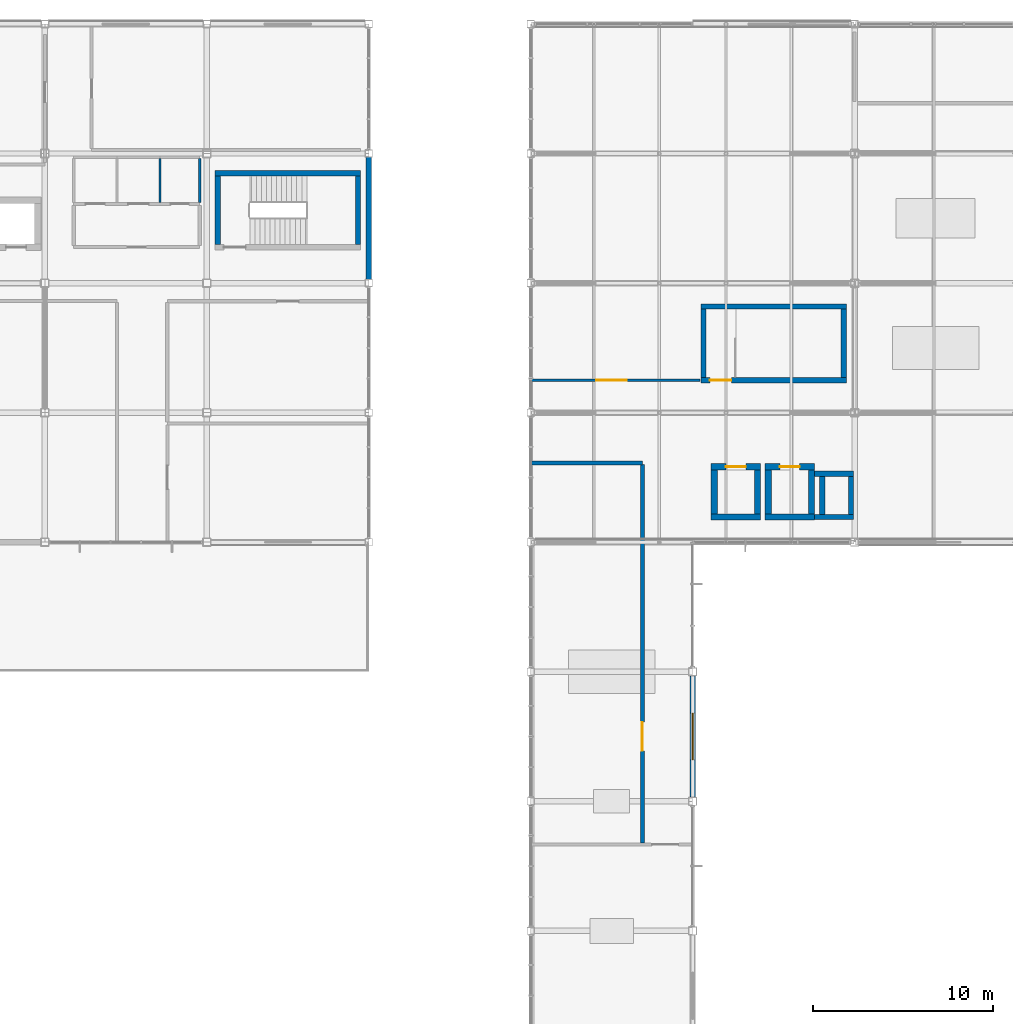
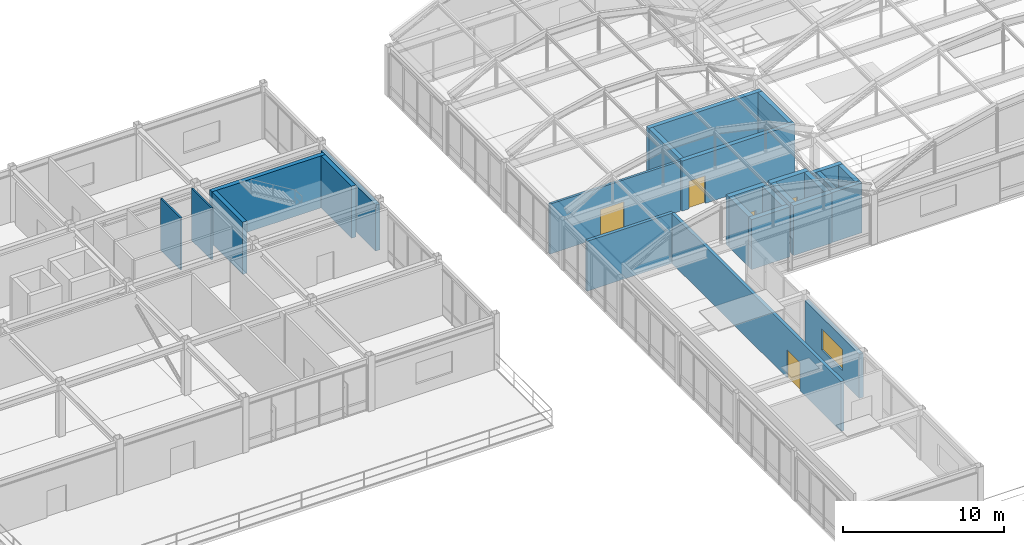
# One storey, part 85 of 106: 26 walls, 5 doors, 1 window, 6 openings.
"""IFC4 building model written with IfcOpenShell, lengths in metres."""

from ifc_helpers import new_model, si_unit, direction, frame, frame_2d, origin, place, context, subcontext, project, spatial, rectangle, extrude, material, layer, layer_set, type_object, element, fill, save


model = new_model("IFC4")

# Units and contexts
model_context = context("Model", 3, precision=1e-05, world=origin(), true_north=direction((0.0, 1.0)))
body_context = subcontext(model_context, "Body", "Model", "MODEL_VIEW")
ifc_project = project(units=[si_unit("LENGTHUNIT", "METRE"), si_unit("AREAUNIT", "SQUARE_METRE"), si_unit("VOLUMEUNIT", "CUBIC_METRE"), si_unit("PLANEANGLEUNIT", "RADIAN"), si_unit("MASSUNIT", "GRAM", prefix="KILO")], contexts=[model_context])

# Site, building, storey
site_placement = place(None, origin())
site = spatial("IfcSite", under=ifc_project, at=site_placement, CompositionType="ELEMENT")
building_placement = place(site_placement, origin())
building = spatial("IfcBuilding", under=site, at=building_placement, Name="Kazanami Central Library", CompositionType="ELEMENT")
storey_placement = place(building_placement, frame((0.0, 0.0, 12.800048828125)))
storey = spatial("IfcBuildingStorey", under=building, at=storey_placement, Name="L04", CompositionType="ELEMENT", Elevation=12.800048828125)

# Wall
ifc_material_1 = material(Name="Concrete Fc36 (36 MPa)", Category="concrete")
ifc_layer_1 = layer(ifc_material_1, 0.219970703125, Name="Concrete Fc36 (36 MPa)")
ifc_material_2 = material(Name="Extruded Polystyrene XPS", Category="earth")
ifc_layer_2 = layer(ifc_material_2, 0.050048828125, Name="Extruded Polystyrene XPS")
ifc_material_3 = material(Name="Honed Inada Granite", Category="masonry")
ifc_layer_3 = layer(ifc_material_3, 0.030029296875, Name="Honed Inada Granite")
ifc_layer_set_1 = layer_set([ifc_layer_1, ifc_layer_2, ifc_layer_3], Name="Concrete Fc36 (36 MPa)")
wall_type_1 = type_object("IfcWallType", Name="WAL-EW-300", PredefinedType="STANDARD", material=ifc_layer_set_1)
wall_1_placement = place(storey_placement, frame((36.0, 86.199951171875, 0.0), z_axis=(0.0, 0.0, 1.0), x_axis=(0.0, -1.0, 0.0)))
element("IfcWall", 1, at=wall_1_placement, inside=storey, type_object=wall_type_1, Name="Exterior Facade Wall EW-300 L04 E-5-11", PredefinedType="STANDARD", context=body_context, shape_type="SweptSolid", body=[
    extrude(rectangle(XDim=6.800048828125, YDim=0.300048828125, at=frame_2d((3.39990234375, 0.0))), origin(), (0.0, 0.0, 1.0), 3.489990234375),
])

# Wall, opening, window
wall_2_placement = place(storey_placement, frame((54.0, 57.375, 0.0), z_axis=(0.0, 0.0, 1.0), x_axis=(0.0, -1.0, 0.0)))
wall_2 = element("IfcWall", 2, at=wall_2_placement, inside=storey, type_object=wall_type_1, Name="Exterior Facade Wall EW-300 L04 E-7-07", PredefinedType="STANDARD", context=body_context, shape_type="SweptSolid", body=[
    extrude(rectangle(XDim=6.75, YDim=0.300048828125, at=frame_2d((3.375, 0.0))), origin(), (0.0, 0.0, 1.0), 3.329833984375),
])
opening_1_placement = place(wall_2_placement, frame((2.074951171875, 0.0, 0.85009765625)))
opening_1 = element("IfcOpeningElement", 3, at=opening_1_placement, cuts=wall_2, Name="Opening WN-13", PredefinedType="OPENING", context=body_context, shape_type="SweptSolid", body=[
    extrude(rectangle(XDim=2.60009765625, YDim=1.60009765625, at=frame_2d((1.300048828125, 0.800048828125))), frame((0.0, 0.162109375, 0.0), z_axis=(0.0, -1.0, 0.0), x_axis=(1.0, 0.0, 0.0)), (0.0, 0.0, 1.0), 0.323974609375),
])
ifc_material_4 = material(Name="Low-E Insulated Triple Glass", Category="glass")
window_type = type_object("IfcWindowType", Name="WIN-WN-13", PartitioningType="DOUBLE_PANEL_VERTICAL", PredefinedType="WINDOW", material=ifc_material_4)
window_placement = place(opening_1_placement, origin())
window = element("IfcWindow", 4, at=window_placement, inside=storey, type_object=window_type, Name="Facade Window WN-13 L04 E-7-07", OverallHeight=1.60009765625, OverallWidth=2.60009765625, PartitioningType="DOUBLE_PANEL_VERTICAL", PredefinedType="WINDOW", context=body_context, shape_type="SweptSolid", body=[
    extrude(rectangle(XDim=2.60009765625, YDim=1.60009765625, at=frame_2d((1.300048828125, 0.800048828125))), frame((0.0, 0.030029296875, 0.0), z_axis=(0.0, -1.0, 0.0), x_axis=(1.0, 0.0, 0.0)), (0.0, 0.0, 1.0), 0.06005859375),
])
fill(opening_1, window)

# Wall, opening, door
ifc_material_5 = material(Name="Fire-Resistant Gypsum Board GB-F", Category="gypsum")
ifc_layer_4 = layer(ifc_material_5, 0.1650390625, Name="Fire-Resistant Gypsum Board GB-F")
ifc_layer_set_2 = layer_set([ifc_layer_4], Name="Fire-Resistant Gypsum Board GB-F")
wall_type_2 = type_object("IfcWallType", Name="WAL-FW-165", PredefinedType="PARTITIONING", material=ifc_layer_set_2)
wall_3_placement = place(storey_placement, frame((45.034912109375, 73.800048828125, 0.0), z_axis=(0.0, 0.0, 1.0), x_axis=(1.0, 0.0, 0.0)))
wall_3 = element("IfcWall", 5, at=wall_3_placement, inside=storey, type_object=wall_type_2, Name="Interior Partition FW-165 L04 RM-19 (South)", PredefinedType="PARTITIONING", context=body_context, shape_type="SweptSolid", body=[
    extrude(rectangle(XDim=9.364990234375, YDim=0.1650390625, at=frame_2d((4.6826171875, 0.0))), origin(), (0.0, 0.0, 1.0), 3.780029296875),
])
opening_2_placement = place(wall_3_placement, frame((3.614990234375, 0.0, 0.0)))
opening_2 = element("IfcOpeningElement", 6, at=opening_2_placement, cuts=wall_3, Name="Opening FD30-4", PredefinedType="OPENING", context=body_context, shape_type="SweptSolid", body=[
    extrude(rectangle(XDim=1.699951171875, YDim=2.1201171875, at=frame_2d((0.85009765625, 1.06005859375))), frame((0.0, 0.094482421875, 0.0), z_axis=(0.0, -1.0, 0.0), x_axis=(1.0, 0.0, 0.0)), (0.0, 0.0, 1.0), 0.18896484375),
])
ifc_material_6 = material(Name="Cold-Rolled Steel SPCC", Category="steel")
door_type_1 = type_object("IfcDoorType", Name="DOR-FD30-4", OperationType="DOUBLE_DOOR_SINGLE_SWING", PredefinedType="DOOR", material=ifc_material_6)
door_1_placement = place(opening_2_placement, origin())
door_1 = element("IfcDoor", 7, at=door_1_placement, inside=storey, type_object=door_type_1, Name="Interior Door FD30-4 L04 RM-19", OperationType="DOUBLE_DOOR_SINGLE_SWING", OverallHeight=2.1201171875, OverallWidth=1.699951171875, PredefinedType="DOOR", context=body_context, shape_type="SweptSolid", body=[
    extrude(rectangle(XDim=1.699951171875, YDim=2.1201171875, at=frame_2d((0.85009765625, 1.06005859375))), frame((0.0, 0.02490234375, 0.0), z_axis=(0.0, -1.0, 0.0), x_axis=(1.0, 0.0, 0.0)), (0.0, 0.0, 1.0), 0.050048828125),
])
fill(opening_2, door_1)

# Wall
ifc_layer_5 = layer(ifc_material_5, 0.219970703125, Name="Fire-Resistant Gypsum Board GB-F")
ifc_layer_set_3 = layer_set([ifc_layer_5], Name="Fire-Resistant Gypsum Board GB-F")
wall_type_3 = type_object("IfcWallType", Name="WAL-FW-220", PredefinedType="PARTITIONING", material=ifc_layer_set_3)
wall_4_placement = place(storey_placement, frame((45.034912109375, 69.199951171875, 0.0), z_axis=(0.0, 0.0, 1.0), x_axis=(1.0, 0.0, 0.0)))
element("IfcWall", 8, at=wall_4_placement, inside=storey, type_object=wall_type_3, Name="Interior Partition FW-220 L04 RM-16 (North)", PredefinedType="PARTITIONING", context=body_context, shape_type="SweptSolid", body=[
    extrude(rectangle(XDim=6.1650390625, YDim=0.219970703125, at=frame_2d((3.08251953125, 0.0))), origin(), (0.0, 0.0, 1.0), 3.780029296875),
])

# Wall, opening, door
wall_5_placement = place(storey_placement, frame((51.199951171875, 48.090087890625, 0.0), z_axis=(0.0, 0.0, 1.0), x_axis=(0.0, 1.0, 0.0)))
wall_5 = element("IfcWall", 9, at=wall_5_placement, inside=storey, type_object=wall_type_3, Name="Interior Partition FW-220 L04 RM-16 (East)", PredefinedType="PARTITIONING", context=body_context, shape_type="SweptSolid", body=[
    extrude(rectangle(XDim=21.02001953125, YDim=0.219970703125, at=frame_2d((10.510009765625, 0.0))), origin(), (0.0, 0.0, 1.0), 3.780029296875),
])
opening_3_placement = place(wall_5_placement, frame((5.110107421875, 0.0, 0.0)))
opening_3 = element("IfcOpeningElement", 10, at=opening_3_placement, cuts=wall_5, Name="Opening FD60-4", PredefinedType="OPENING", context=body_context, shape_type="SweptSolid", body=[
    extrude(rectangle(XDim=1.60009765625, YDim=2.1201171875, at=frame_2d((0.800048828125, 1.06005859375))), frame((0.0, 0.1220703125, 0.0), z_axis=(0.0, -1.0, 0.0), x_axis=(1.0, 0.0, 0.0)), (0.0, 0.0, 1.0), 0.243896484375),
])
door_type_2 = type_object("IfcDoorType", Name="DOR-FD60-4", OperationType="DOUBLE_DOOR_SINGLE_SWING", PredefinedType="DOOR", material=ifc_material_6)
door_2_placement = place(opening_3_placement, origin())
door_2 = element("IfcDoor", 11, at=door_2_placement, inside=storey, type_object=door_type_2, Name="Interior Door FD60-4 L04 RM-16", OperationType="DOUBLE_DOOR_SINGLE_SWING", OverallHeight=2.1201171875, OverallWidth=1.60009765625, PredefinedType="DOOR", context=body_context, shape_type="SweptSolid", body=[
    extrude(rectangle(XDim=1.60009765625, YDim=2.1201171875, at=frame_2d((0.800048828125, 1.06005859375))), frame((0.0, 0.02490234375, 0.0), z_axis=(0.0, -1.0, 0.0), x_axis=(1.0, 0.0, 0.0)), (0.0, 0.0, 1.0), 0.050048828125),
])
fill(opening_3, door_2)

# Walls
ifc_material_7 = material(Name="Gypsum Plasterboard GB-R", Category="gypsum")
ifc_layer_6 = layer(ifc_material_7, 0.125, Name="Gypsum Plasterboard GB-R")
ifc_layer_set_4 = layer_set([ifc_layer_6], Name="Gypsum Plasterboard GB-R")
wall_type_4 = type_object("IfcWallType", Name="WAL-PW-125", PredefinedType="PARTITIONING", material=ifc_layer_set_4)
for number, where, z_axis, x_axis, name in (
    (12, (24.39990234375, 83.68994140625, 0.0), (0.0, 0.0, 1.0), (0.0, 1.0, 0.0), "Interior Partition PW-125 L04 WC-V4-F (East)"),
    (13, (26.60009765625, 83.68994140625, 0.0), (0.0, 0.0, 1.0), (0.0, 1.0, 0.0), "Interior Partition PW-125 L04 WC-V4-ACC (East)"),
):
    element("IfcWall", number, at=place(storey_placement, frame(where, z_axis=z_axis, x_axis=x_axis)), inside=storey, type_object=wall_type_4, Name=name, PredefinedType="PARTITIONING", context=body_context, shape_type="SweptSolid", body=[
        extrude(rectangle(XDim=2.447509765625, YDim=0.125, at=frame_2d((1.2236328125, 0.0))), origin(), (0.0, 0.0, 1.0), 3.93994140625),
    ])

# Wall, opening, door
ifc_layer_7 = layer(ifc_material_1, 0.300048828125, Name="Concrete Fc36 (36 MPa)")
ifc_layer_set_5 = layer_set([ifc_layer_7], Name="Concrete Fc36 (36 MPa)")
wall_type_5 = type_object("IfcWallType", Name="WAL-SW-300", PredefinedType="SHEAR", material=ifc_layer_set_5)
wall_6_placement = place(storey_placement, frame((54.449951171875, 73.800048828125, 0.0), z_axis=(0.0, 0.0, 1.0), x_axis=(1.0, 0.0, 0.0)))
wall_6 = element("IfcWall", 14, at=wall_6_placement, inside=storey, type_object=wall_type_5, Name="Stair Core Wall ST-03 South L04", PredefinedType="SHEAR", context=body_context, shape_type="SweptSolid", body=[
    extrude(rectangle(XDim=8.10009765625, YDim=0.300048828125, at=frame_2d((4.050048828125, 0.0))), origin(), (0.0, 0.0, 1.0), 3.780029296875),
])
opening_4_placement = place(wall_6_placement, frame((0.5, 0.0, 0.0)))
opening_4 = element("IfcOpeningElement", 15, at=opening_4_placement, cuts=wall_6, Name="Opening FD60-1", PredefinedType="OPENING", context=body_context, shape_type="SweptSolid", body=[
    extrude(rectangle(XDim=1.199951171875, YDim=2.10009765625, at=frame_2d((0.60009765625, 1.050048828125))), frame((0.0, 0.162109375, 0.0), z_axis=(0.0, -1.0, 0.0), x_axis=(1.0, 0.0, 0.0)), (0.0, 0.0, 1.0), 0.323974609375),
])
door_type_3 = type_object("IfcDoorType", Name="DOR-FD60-1", OperationType="NOTDEFINED", PredefinedType="DOOR", material=ifc_material_6)
door_3_placement = place(opening_4_placement, origin())
door_3 = element("IfcDoor", 16, at=door_3_placement, inside=storey, type_object=door_type_3, Name="Escape Stair ST-03 Fire Door L04", OperationType="SINGLE_SWING_LEFT", OverallHeight=2.10009765625, OverallWidth=1.199951171875, PredefinedType="DOOR", context=body_context, shape_type="SweptSolid", body=[
    extrude(rectangle(XDim=1.199951171875, YDim=2.10009765625, at=frame_2d((0.60009765625, 1.050048828125))), frame((0.0, 0.02490234375, 0.0), z_axis=(0.0, -1.0, 0.0), x_axis=(1.0, 0.0, 0.0)), (0.0, 0.0, 1.0), 0.050048828125),
])
fill(opening_4, door_3)

# Walls
wall_7_placement = place(storey_placement, frame((54.449951171875, 77.89990234375, 0.0), z_axis=(0.0, 0.0, 1.0), x_axis=(1.0, 0.0, 0.0)))
element("IfcWall", 17, at=wall_7_placement, inside=storey, type_object=wall_type_5, Name="Stair Core Wall ST-03 North L04", PredefinedType="SHEAR", context=body_context, shape_type="SweptSolid", body=[
    extrude(rectangle(XDim=8.10009765625, YDim=0.300048828125, at=frame_2d((4.050048828125, 0.0))), origin(), (0.0, 0.0, 1.0), 3.780029296875),
])
for number, where, z_axis, x_axis, name in (
    (18, (54.60009765625, 73.949951171875, 0.0), (0.0, 0.0, 1.0), (0.0, 1.0, 0.0), "Stair Core Wall ST-03 West L04"),
    (19, (62.39990234375, 73.949951171875, 0.0), (0.0, 0.0, 1.0), (0.0, 1.0, 0.0), "Stair Core Wall ST-03 East L04"),
):
    element("IfcWall", number, at=place(storey_placement, frame(where, z_axis=z_axis, x_axis=x_axis)), inside=storey, type_object=wall_type_5, Name=name, PredefinedType="SHEAR", context=body_context, shape_type="SweptSolid", body=[
        extrude(rectangle(XDim=3.800048828125, YDim=0.300048828125, at=frame_2d((1.89990234375, 0.0))), origin(), (0.0, 0.0, 1.0), 3.780029296875),
    ])
wall_8_placement = place(storey_placement, frame((27.449951171875, 85.300048828125, 0.0), z_axis=(0.0, 0.0, 1.0), x_axis=(1.0, 0.0, 0.0)))
element("IfcWall", 20, at=wall_8_placement, inside=storey, type_object=wall_type_5, Name="Stair Core Wall ST-06 North L04", PredefinedType="SHEAR", context=body_context, shape_type="SweptSolid", body=[
    extrude(rectangle(XDim=8.10009765625, YDim=0.300048828125, at=frame_2d((4.050048828125, 0.0))), origin(), (0.0, 0.0, 1.0), 3.93994140625),
])
for number, where, z_axis, x_axis, name in (
    (21, (27.60009765625, 81.35009765625, 0.0), (0.0, 0.0, 1.0), (0.0, 1.0, 0.0), "Stair Core Wall ST-06 West L04"),
    (22, (35.39990234375, 81.35009765625, 0.0), (0.0, 0.0, 1.0), (0.0, 1.0, 0.0), "Stair Core Wall ST-06 East L04"),
):
    element("IfcWall", number, at=place(storey_placement, frame(where, z_axis=z_axis, x_axis=x_axis)), inside=storey, type_object=wall_type_5, Name=name, PredefinedType="SHEAR", context=body_context, shape_type="SweptSolid", body=[
        extrude(rectangle(XDim=3.7998046875, YDim=0.300048828125, at=frame_2d((1.89990234375, 0.0))), origin(), (0.0, 0.0, 1.0), 3.93994140625),
    ])
for number, where, z_axis, x_axis, name in (
    (23, (60.77490234375, 66.199951171875, 0.0), (0.0, 0.0, 1.0), (1.0, 0.0, 0.0), "Service Riser Wall RSR-V1-A S L04"),
    (24, (60.77490234375, 68.60009765625, 0.0), (0.0, 0.0, 1.0), (1.0, 0.0, 0.0), "Service Riser Wall RSR-V1-A N L04"),
):
    element("IfcWall", number, at=place(storey_placement, frame(where, z_axis=z_axis, x_axis=x_axis)), inside=storey, type_object=wall_type_5, Name=name, PredefinedType="SHEAR", context=body_context, shape_type="SweptSolid", body=[
        extrude(rectangle(XDim=2.175048828125, YDim=0.300048828125, at=frame_2d((1.08740234375, 0.0))), origin(), (0.0, 0.0, 1.0), 3.780029296875),
    ])
for number, where, z_axis, x_axis, name in (
    (25, (61.199951171875, 66.35009765625, 0.0), (0.0, 0.0, 1.0), (0.0, 1.0, 0.0), "Service Riser Wall RSR-V1-A W L04"),
    (26, (62.800048828125, 66.35009765625, 0.0), (0.0, 0.0, 1.0), (0.0, 1.0, 0.0), "Service Riser Wall RSR-V1-A E L04"),
):
    element("IfcWall", number, at=place(storey_placement, frame(where, z_axis=z_axis, x_axis=x_axis)), inside=storey, type_object=wall_type_5, Name=name, PredefinedType="SHEAR", context=body_context, shape_type="SweptSolid", body=[
        extrude(rectangle(XDim=2.099853515625, YDim=0.300048828125, at=frame_2d((1.0498046875, 0.0))), origin(), (0.0, 0.0, 1.0), 3.780029296875),
    ])
ifc_layer_8 = layer(ifc_material_1, 0.35009765625, Name="Concrete Fc36 (36 MPa)")
ifc_layer_set_6 = layer_set([ifc_layer_8], Name="Concrete Fc36 (36 MPa)")
wall_type_6 = type_object("IfcWallType", Name="WAL-SW-350", PredefinedType="SHEAR", material=ifc_layer_set_6)
wall_9_placement = place(storey_placement, frame((55.02490234375, 66.199951171875, 0.0), z_axis=(0.0, 0.0, 1.0), x_axis=(1.0, 0.0, 0.0)))
element("IfcWall", 27, at=wall_9_placement, inside=storey, type_object=wall_type_6, Name="Lift Shaft Wall EL-P2 South L04", PredefinedType="SHEAR", context=body_context, shape_type="SweptSolid", body=[
    extrude(rectangle(XDim=2.75, YDim=0.35009765625, at=frame_2d((1.375, 0.0))), origin(), (0.0, 0.0, 1.0), 3.780029296875),
])

# Wall, opening, door
wall_10_placement = place(storey_placement, frame((55.02490234375, 69.0, 0.0), z_axis=(0.0, 0.0, 1.0), x_axis=(1.0, 0.0, 0.0)))
wall_10 = element("IfcWall", 28, at=wall_10_placement, inside=storey, type_object=wall_type_6, Name="Lift Shaft Wall EL-P2 North L04", PredefinedType="SHEAR", context=body_context, shape_type="SweptSolid", body=[
    extrude(rectangle(XDim=2.75, YDim=0.35009765625, at=frame_2d((1.375, 0.0))), origin(), (0.0, 0.0, 1.0), 3.780029296875),
])
opening_5_placement = place(wall_10_placement, frame((0.824951171875, 0.0, 0.0)))
opening_5 = element("IfcOpeningElement", 29, at=opening_5_placement, cuts=wall_10, Name="Opening LD-01", PredefinedType="OPENING", context=body_context, shape_type="SweptSolid", body=[
    extrude(rectangle(XDim=1.10009765625, YDim=2.10009765625, at=frame_2d((0.550048828125, 1.050048828125))), frame((0.0, 0.18701171875, 0.0), z_axis=(0.0, -1.0, 0.0), x_axis=(1.0, 0.0, 0.0)), (0.0, 0.0, 1.0), 0.3740234375),
])
ifc_material_8 = material(Name="Stainless Steel SUS304", Category="steel")
door_type_4 = type_object("IfcDoorType", Name="DOR-LD-01", OperationType="SLIDING_TO_LEFT", PredefinedType="DOOR", material=ifc_material_8)
door_4_placement = place(opening_5_placement, origin())
door_4 = element("IfcDoor", 30, at=door_4_placement, inside=storey, type_object=door_type_4, Name="Lift Landing Sliding Door EL-P2 (L04)", OperationType="SLIDING_TO_RIGHT", OverallHeight=2.10009765625, OverallWidth=1.10009765625, PredefinedType="DOOR", context=body_context, shape_type="SweptSolid", body=[
    extrude(rectangle(XDim=1.10009765625, YDim=2.10009765625, at=frame_2d((0.550048828125, 1.050048828125))), frame((0.0, 0.02490234375, 0.0), z_axis=(0.0, -1.0, 0.0), x_axis=(1.0, 0.0, 0.0)), (0.0, 0.0, 1.0), 0.050048828125),
])
fill(opening_5, door_4)

# Walls
for number, where, z_axis, x_axis, name in (
    (31, (55.199951171875, 66.375, 0.0), (0.0, 0.0, 1.0), (0.0, 1.0, 0.0), "Lift Shaft Wall EL-P2 West L04"),
    (32, (57.60009765625, 66.375, 0.0), (0.0, 0.0, 1.0), (0.0, 1.0, 0.0), "Lift Shaft Wall EL-P2 East L04"),
):
    element("IfcWall", number, at=place(storey_placement, frame(where, z_axis=z_axis, x_axis=x_axis)), inside=storey, type_object=wall_type_6, Name=name, PredefinedType="SHEAR", context=body_context, shape_type="SweptSolid", body=[
        extrude(rectangle(XDim=2.449951171875, YDim=0.35009765625, at=frame_2d((1.22509765625, 0.0))), origin(), (0.0, 0.0, 1.0), 3.780029296875),
    ])
wall_11_placement = place(storey_placement, frame((58.02490234375, 66.199951171875, 0.0), z_axis=(0.0, 0.0, 1.0), x_axis=(1.0, 0.0, 0.0)))
element("IfcWall", 33, at=wall_11_placement, inside=storey, type_object=wall_type_6, Name="Lift Shaft Wall EL-P3 South L04", PredefinedType="SHEAR", context=body_context, shape_type="SweptSolid", body=[
    extrude(rectangle(XDim=2.75, YDim=0.35009765625, at=frame_2d((1.375, 0.0))), origin(), (0.0, 0.0, 1.0), 3.780029296875),
])

# Wall, opening, door
wall_12_placement = place(storey_placement, frame((58.02490234375, 69.0, 0.0), z_axis=(0.0, 0.0, 1.0), x_axis=(1.0, 0.0, 0.0)))
wall_12 = element("IfcWall", 34, at=wall_12_placement, inside=storey, type_object=wall_type_6, Name="Lift Shaft Wall EL-P3 North L04", PredefinedType="SHEAR", context=body_context, shape_type="SweptSolid", body=[
    extrude(rectangle(XDim=2.75, YDim=0.35009765625, at=frame_2d((1.375, 0.0))), origin(), (0.0, 0.0, 1.0), 3.780029296875),
])
opening_6_placement = place(wall_12_placement, frame((0.824951171875, 0.0, 0.0)))
opening_6 = element("IfcOpeningElement", 35, at=opening_6_placement, cuts=wall_12, Name="Opening LD-01", PredefinedType="OPENING", context=body_context, shape_type="SweptSolid", body=[
    extrude(rectangle(XDim=1.10009765625, YDim=2.10009765625, at=frame_2d((0.550048828125, 1.050048828125))), frame((0.0, 0.18701171875, 0.0), z_axis=(0.0, -1.0, 0.0), x_axis=(1.0, 0.0, 0.0)), (0.0, 0.0, 1.0), 0.3740234375),
])
door_5_placement = place(opening_6_placement, origin())
door_5 = element("IfcDoor", 36, at=door_5_placement, inside=storey, type_object=door_type_4, Name="Lift Landing Sliding Door EL-P3 (L04)", OperationType="SLIDING_TO_RIGHT", OverallHeight=2.10009765625, OverallWidth=1.10009765625, PredefinedType="DOOR", context=body_context, shape_type="SweptSolid", body=[
    extrude(rectangle(XDim=1.10009765625, YDim=2.10009765625, at=frame_2d((0.550048828125, 1.050048828125))), frame((0.0, 0.02490234375, 0.0), z_axis=(0.0, -1.0, 0.0), x_axis=(1.0, 0.0, 0.0)), (0.0, 0.0, 1.0), 0.050048828125),
])
fill(opening_6, door_5)

# Walls
for number, where, z_axis, x_axis, name in (
    (37, (58.199951171875, 66.375, 0.0), (0.0, 0.0, 1.0), (0.0, 1.0, 0.0), "Lift Shaft Wall EL-P3 West L04"),
    (38, (60.60009765625, 66.375, 0.0), (0.0, 0.0, 1.0), (0.0, 1.0, 0.0), "Lift Shaft Wall EL-P3 East L04"),
):
    element("IfcWall", number, at=place(storey_placement, frame(where, z_axis=z_axis, x_axis=x_axis)), inside=storey, type_object=wall_type_6, Name=name, PredefinedType="SHEAR", context=body_context, shape_type="SweptSolid", body=[
        extrude(rectangle(XDim=2.449951171875, YDim=0.35009765625, at=frame_2d((1.22509765625, 0.0))), origin(), (0.0, 0.0, 1.0), 3.780029296875),
    ])

save(model, "model.ifc")
